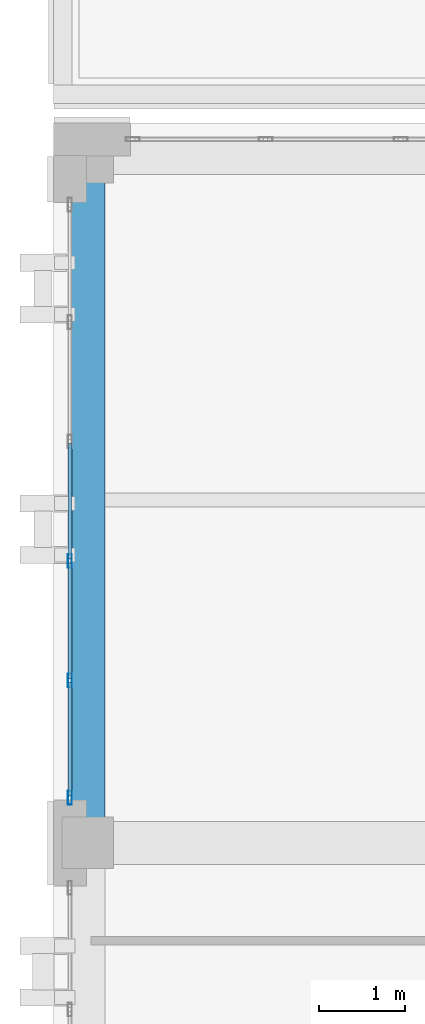
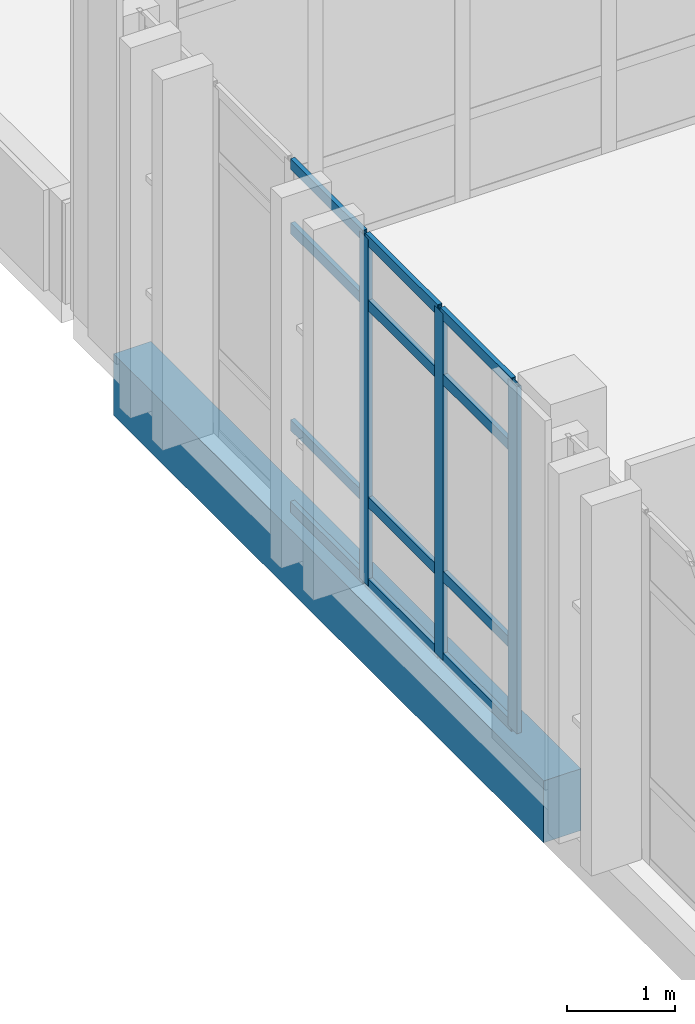
# One storey, part 36 of 90: 15 members, 1 beam, 1 element without a shape of its own.
"""IFC4 building model written with IfcOpenShell, lengths in metres."""

from ifc_helpers import new_model, si_unit, direction, frame, origin, origin_2d, place, context, subcontext, project, spatial, rectangle, hollow_rectangle, extrude, material, layer, layer_set, material_profile, profile_set, type_object, element, aggregate, save


model = new_model("IFC4")

# Units and contexts
model_context = context("Model", 3, precision=1e-05, world=origin(), true_north=direction((0.0, 1.0)))
body_context = subcontext(model_context, "Body", "Model", "MODEL_VIEW")
ifc_project = project(units=[si_unit("LENGTHUNIT", "METRE"), si_unit("AREAUNIT", "SQUARE_METRE"), si_unit("VOLUMEUNIT", "CUBIC_METRE"), si_unit("PLANEANGLEUNIT", "RADIAN"), si_unit("MASSUNIT", "GRAM", prefix="KILO")], contexts=[model_context])

# Site, building, storey
site_placement = place(None, origin())
site = spatial("IfcSite", under=ifc_project, at=site_placement, CompositionType="ELEMENT")
building_placement = place(site_placement, origin())
building = spatial("IfcBuilding", under=site, at=building_placement, Name="Qalavern Law Courts", CompositionType="ELEMENT")
storey_placement = place(building_placement, frame((0.0, 0.0, 22.800048828125)))
storey = spatial("IfcBuildingStorey", under=building, at=storey_placement, Name="L05", CompositionType="ELEMENT", Elevation=22.800048828125)

# Curtain wall, members
ifc_material_1 = material(Name="Anodised aluminium and insulated glazing", Category="aluminium")
ifc_layer = layer(ifc_material_1, 0.159912109375)
ifc_layer_set = layer_set([ifc_layer], Name="Anodised aluminium and insulated glazing")
curtain_wall_type = type_object("IfcCurtainWallType", Name="ENV-CW-CHAMB", PredefinedType="USERDEFINED", material=ifc_layer_set)
curtain_wall_placement = place(storey_placement, origin())
curtain_wall = element("IfcCurtainWall", 1, at=curtain_wall_placement, inside=storey, type_object=curtain_wall_type, Name="V3 unitised curtain wall L05 west 1", ObjectType="UNITISED CURTAIN WALL", PredefinedType="USERDEFINED")
ifc_material_2 = material(Name="Anodised aluminium", Category="aluminium")
ifc_material_profile_1 = material_profile(ifc_material_2, hollow_rectangle(XDim=0.048095703125, YDim=0.159912109375, WallThickness=0.00390625, at=origin_2d()), Name="ALU MULLION 48x160")
ifc_profile_set_1 = profile_set([ifc_material_profile_1], Name="Anodised aluminium")
member_type_1 = type_object("IfcMemberType", Name="ENV-CWM-48x160", PredefinedType="MULLION", material=ifc_profile_set_1)
member_1_placement = place(storey_placement, frame((2.1923828125, 90.8798828125, 0.0), z_axis=(0.0, 0.0, 1.0), x_axis=(1.0, 0.0, 0.0)))
member_1 = element("IfcMember", 2, at=member_1_placement, type_object=member_type_1, Name="CW-04 mullion 4", PredefinedType="MULLION", context=body_context, shape_type="SweptSolid", body=[
    extrude(hollow_rectangle(XDim=0.048095703125, YDim=0.159912109375, WallThickness=0.00390625, at=origin_2d()), origin(), (0.0, 0.0, 1.0), 3.929931640625),
])
member_2_placement = place(storey_placement, frame((2.1923828125, 89.489990234375, 0.0), z_axis=(0.0, 0.0, 1.0), x_axis=(1.0, 0.0, 0.0)))
member_2 = element("IfcMember", 3, at=member_2_placement, type_object=member_type_1, Name="CW-04 mullion 5", PredefinedType="MULLION", context=body_context, shape_type="SweptSolid", body=[
    extrude(hollow_rectangle(XDim=0.048095703125, YDim=0.159912109375, WallThickness=0.00390625, at=origin_2d()), origin(), (0.0, 0.0, 1.0), 3.929931640625),
])
member_3_placement = place(storey_placement, frame((2.1923828125, 88.1240234375, 0.0), z_axis=(0.0, 0.0, 1.0), x_axis=(1.0, 0.0, 0.0)))
member_3 = element("IfcMember", 4, at=member_3_placement, type_object=member_type_1, Name="CW-04 mullion 6", PredefinedType="MULLION", context=body_context, shape_type="SweptSolid", body=[
    extrude(hollow_rectangle(XDim=0.048095703125, YDim=0.159912109375, WallThickness=0.00390625, at=origin_2d()), origin(), (0.0, 0.0, 1.0), 3.929931640625),
])
ifc_material_profile_2 = material_profile(ifc_material_2, hollow_rectangle(XDim=0.048095703125, YDim=0.1201171875, WallThickness=0.00390625, at=origin_2d()), Name="ALU TRANSOM 48x120")
ifc_profile_set_2 = profile_set([ifc_material_profile_2], Name="Anodised aluminium")
member_type_2 = type_object("IfcMemberType", Name="ENV-CWT-48x120", PredefinedType="USERDEFINED", material=ifc_profile_set_2)
member_4_placement = place(storey_placement, frame((2.1923828125, 92.24609375, 0.02392578125), z_axis=(0.0, -1.0, 0.0), x_axis=(1.0, 0.0, 0.0)))
member_4 = element("IfcMember", 5, at=member_4_placement, type_object=member_type_2, Name="CW-04 transom 3.1", ObjectType="TRANSOM", PredefinedType="USERDEFINED", context=body_context, shape_type="SweptSolid", body=[
    extrude(hollow_rectangle(XDim=0.048095703125, YDim=0.1201171875, WallThickness=0.00390625, at=origin_2d()), origin(), (0.0, 0.0, 1.0), 1.342041015625),
])
member_5_placement = place(storey_placement, frame((2.1923828125, 92.24609375, 0.949951171875), z_axis=(0.0, -1.0, 0.0), x_axis=(1.0, 0.0, 0.0)))
member_5 = element("IfcMember", 6, at=member_5_placement, type_object=member_type_2, Name="CW-04 transom 3.2", ObjectType="TRANSOM", PredefinedType="USERDEFINED", context=body_context, shape_type="SweptSolid", body=[
    extrude(hollow_rectangle(XDim=0.048095703125, YDim=0.1201171875, WallThickness=0.00390625, at=origin_2d()), origin(), (0.0, 0.0, 1.0), 1.342041015625),
])
member_6_placement = place(storey_placement, frame((2.1923828125, 92.24609375, 3.179931640625), z_axis=(0.0, -1.0, 0.0), x_axis=(1.0, 0.0, 0.0)))
member_6 = element("IfcMember", 7, at=member_6_placement, type_object=member_type_2, Name="CW-04 transom 3.3", ObjectType="TRANSOM", PredefinedType="USERDEFINED", context=body_context, shape_type="SweptSolid", body=[
    extrude(hollow_rectangle(XDim=0.048095703125, YDim=0.1201171875, WallThickness=0.00390625, at=origin_2d()), origin(), (0.0, 0.0, 1.0), 1.342041015625),
])
member_7_placement = place(storey_placement, frame((2.1923828125, 92.24609375, 3.906005859375), z_axis=(0.0, -1.0, 0.0), x_axis=(1.0, 0.0, 0.0)))
member_7 = element("IfcMember", 8, at=member_7_placement, type_object=member_type_2, Name="CW-04 transom 3.4", ObjectType="TRANSOM", PredefinedType="USERDEFINED", context=body_context, shape_type="SweptSolid", body=[
    extrude(hollow_rectangle(XDim=0.048095703125, YDim=0.1201171875, WallThickness=0.00390625, at=origin_2d()), origin(), (0.0, 0.0, 1.0), 1.342041015625),
])
member_8_placement = place(storey_placement, frame((2.1923828125, 90.85595703125, 0.02392578125), z_axis=(0.0, -1.0, 0.0), x_axis=(1.0, 0.0, 0.0)))
member_8 = element("IfcMember", 9, at=member_8_placement, type_object=member_type_2, Name="CW-04 transom 4.1", ObjectType="TRANSOM", PredefinedType="USERDEFINED", context=body_context, shape_type="SweptSolid", body=[
    extrude(hollow_rectangle(XDim=0.048095703125, YDim=0.1201171875, WallThickness=0.00390625, at=origin_2d()), origin(), (0.0, 0.0, 1.0), 1.342041015625),
])
member_9_placement = place(storey_placement, frame((2.1923828125, 90.85595703125, 0.949951171875), z_axis=(0.0, -1.0, 0.0), x_axis=(1.0, 0.0, 0.0)))
member_9 = element("IfcMember", 10, at=member_9_placement, type_object=member_type_2, Name="CW-04 transom 4.2", ObjectType="TRANSOM", PredefinedType="USERDEFINED", context=body_context, shape_type="SweptSolid", body=[
    extrude(hollow_rectangle(XDim=0.048095703125, YDim=0.1201171875, WallThickness=0.00390625, at=origin_2d()), origin(), (0.0, 0.0, 1.0), 1.342041015625),
])
member_10_placement = place(storey_placement, frame((2.1923828125, 90.85595703125, 3.179931640625), z_axis=(0.0, -1.0, 0.0), x_axis=(1.0, 0.0, 0.0)))
member_10 = element("IfcMember", 11, at=member_10_placement, type_object=member_type_2, Name="CW-04 transom 4.3", ObjectType="TRANSOM", PredefinedType="USERDEFINED", context=body_context, shape_type="SweptSolid", body=[
    extrude(hollow_rectangle(XDim=0.048095703125, YDim=0.1201171875, WallThickness=0.00390625, at=origin_2d()), origin(), (0.0, 0.0, 1.0), 1.342041015625),
])
member_11_placement = place(storey_placement, frame((2.1923828125, 90.85595703125, 3.906005859375), z_axis=(0.0, -1.0, 0.0), x_axis=(1.0, 0.0, 0.0)))
member_11 = element("IfcMember", 12, at=member_11_placement, type_object=member_type_2, Name="CW-04 transom 4.4", ObjectType="TRANSOM", PredefinedType="USERDEFINED", context=body_context, shape_type="SweptSolid", body=[
    extrude(hollow_rectangle(XDim=0.048095703125, YDim=0.1201171875, WallThickness=0.00390625, at=origin_2d()), origin(), (0.0, 0.0, 1.0), 1.342041015625),
])
member_12_placement = place(storey_placement, frame((2.1923828125, 89.466064453125, 0.02392578125), z_axis=(0.0, -1.0, 0.0), x_axis=(1.0, 0.0, 0.0)))
member_12 = element("IfcMember", 13, at=member_12_placement, type_object=member_type_2, Name="CW-04 transom 5.1", ObjectType="TRANSOM", PredefinedType="USERDEFINED", context=body_context, shape_type="SweptSolid", body=[
    extrude(hollow_rectangle(XDim=0.048095703125, YDim=0.1201171875, WallThickness=0.00390625, at=origin_2d()), origin(), (0.0, 0.0, 1.0), 1.318115234375),
])
member_13_placement = place(storey_placement, frame((2.1923828125, 89.466064453125, 0.949951171875), z_axis=(0.0, -1.0, 0.0), x_axis=(1.0, 0.0, 0.0)))
member_13 = element("IfcMember", 14, at=member_13_placement, type_object=member_type_2, Name="CW-04 transom 5.2", ObjectType="TRANSOM", PredefinedType="USERDEFINED", context=body_context, shape_type="SweptSolid", body=[
    extrude(hollow_rectangle(XDim=0.048095703125, YDim=0.1201171875, WallThickness=0.00390625, at=origin_2d()), origin(), (0.0, 0.0, 1.0), 1.318115234375),
])
member_14_placement = place(storey_placement, frame((2.1923828125, 89.466064453125, 3.179931640625), z_axis=(0.0, -1.0, 0.0), x_axis=(1.0, 0.0, 0.0)))
member_14 = element("IfcMember", 15, at=member_14_placement, type_object=member_type_2, Name="CW-04 transom 5.3", ObjectType="TRANSOM", PredefinedType="USERDEFINED", context=body_context, shape_type="SweptSolid", body=[
    extrude(hollow_rectangle(XDim=0.048095703125, YDim=0.1201171875, WallThickness=0.00390625, at=origin_2d()), origin(), (0.0, 0.0, 1.0), 1.318115234375),
])
member_15_placement = place(storey_placement, frame((2.1923828125, 89.466064453125, 3.906005859375), z_axis=(0.0, -1.0, 0.0), x_axis=(1.0, 0.0, 0.0)))
member_15 = element("IfcMember", 16, at=member_15_placement, type_object=member_type_2, Name="CW-04 transom 5.4", ObjectType="TRANSOM", PredefinedType="USERDEFINED", context=body_context, shape_type="SweptSolid", body=[
    extrude(hollow_rectangle(XDim=0.048095703125, YDim=0.1201171875, WallThickness=0.00390625, at=origin_2d()), origin(), (0.0, 0.0, 1.0), 1.318115234375),
])
aggregate(curtain_wall, [member_1, member_2, member_3, member_4, member_5, member_6, member_7, member_8, member_9, member_10, member_11, member_12, member_13, member_14, member_15])

# Beam
ifc_material_3 = material(Name="Concrete C40/50", Category="concrete")
ifc_material_profile_3 = material_profile(ifc_material_3, rectangle(XDim=0.39990234375, YDim=0.699951171875, at=origin_2d()), Name="RC 400x700")
ifc_profile_set_3 = profile_set([ifc_material_profile_3], Name="Concrete C40/50")
beam_type = type_object("IfcBeamType", Name="STR-SP-RC400x700", PredefinedType="SPANDREL", material=ifc_profile_set_3)
beam_placement = place(storey_placement, frame((2.39990234375, 87.60009765625, -0.625), z_axis=(0.0, 1.0, 0.0), x_axis=(-1.0, 0.0, 0.0)))
element("IfcBeam", 17, at=beam_placement, inside=storey, type_object=beam_type, Name="V3 Y-beam 1-7 L05", PredefinedType="SPANDREL", context=body_context, shape_type="SweptSolid", body=[
    extrude(rectangle(XDim=0.39990234375, YDim=0.699951171875, at=origin_2d()), origin(), (0.0, 0.0, 1.0), 7.97998046875),
])

save(model, "model.ifc")
